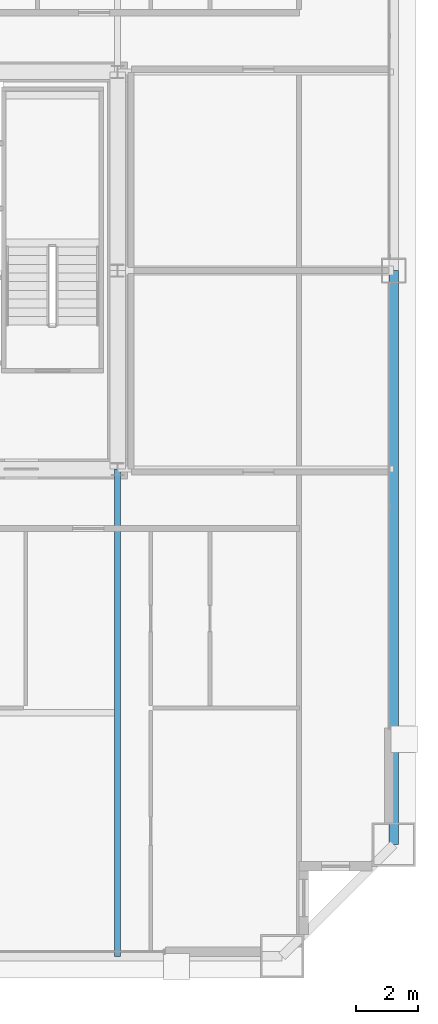
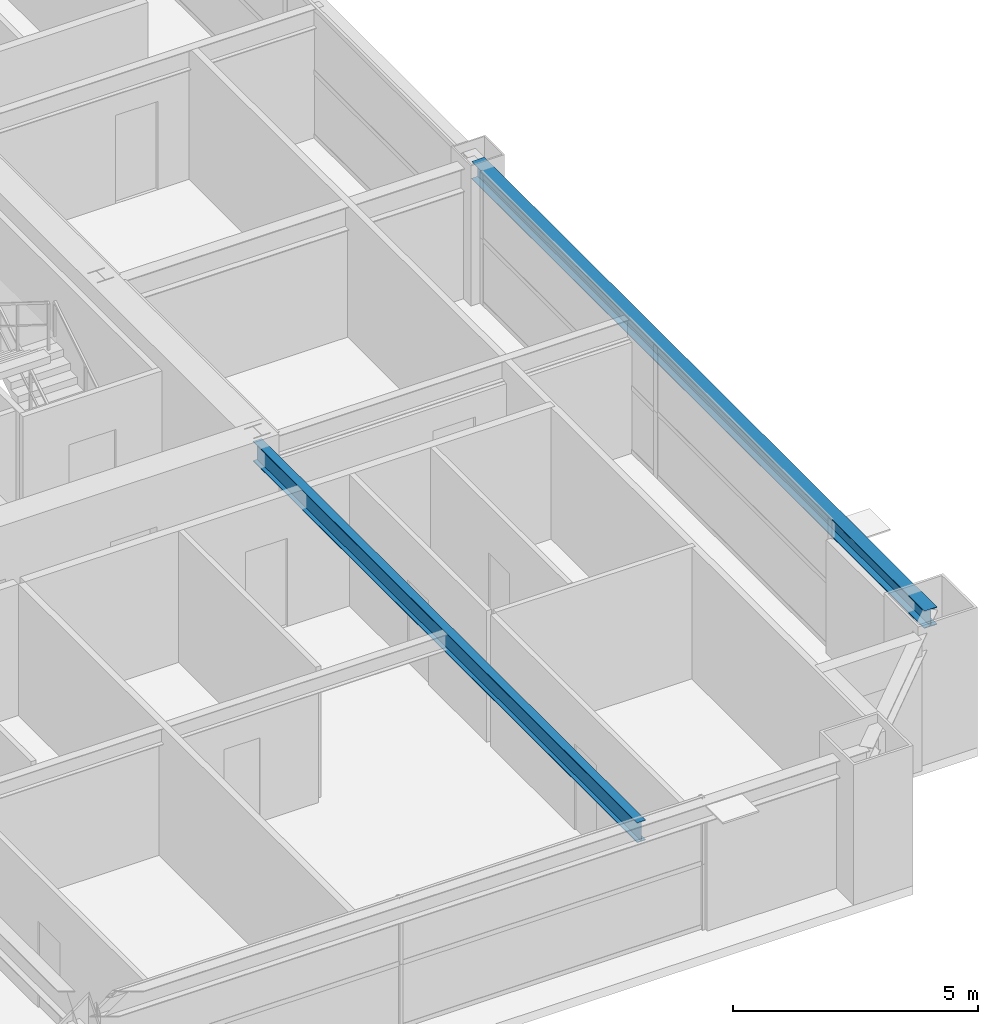
# One storey, part 17 of 38: 2 beams.
"""IFC4 building model written with IfcOpenShell, lengths in metres."""

from ifc_helpers import new_model, si_unit, direction, frame, origin, origin_2d, place, context, subcontext, project, spatial, i_section, extrude, source, transform, mapped, material, material_profile, profile_set, type_object, element, save


model = new_model("IFC4")

# Units and contexts
model_context = context("Model", 3, precision=1e-05, world=origin(), true_north=direction((0.0, 1.0)))
body_context = subcontext(model_context, "Body", "Model", "MODEL_VIEW")
ifc_project = project(units=[si_unit("LENGTHUNIT", "METRE"), si_unit("AREAUNIT", "SQUARE_METRE"), si_unit("VOLUMEUNIT", "CUBIC_METRE"), si_unit("PLANEANGLEUNIT", "RADIAN"), si_unit("MASSUNIT", "GRAM", prefix="KILO"), si_unit("THERMODYNAMICTEMPERATUREUNIT", "KELVIN"), si_unit("POWERUNIT", "WATT")], contexts=[model_context])

# Site, building, storey
site_placement = place(None, origin())
site = spatial("IfcSite", under=ifc_project, at=site_placement, CompositionType="ELEMENT")
building_placement = place(site_placement, origin())
building = spatial("IfcBuilding", under=site, at=building_placement, Name="Yuzanri Waterfront Tower", CompositionType="ELEMENT")
storey_placement = place(building_placement, frame((0.0, 0.0, 209.0)))
storey = spatial("IfcBuildingStorey", under=building, at=storey_placement, Name="L55", CompositionType="ELEMENT", Elevation=209.0)

# Beams
ifc_material_1 = material(Name="Steel Q355B", Category="steel")
ifc_material_profile_1 = material_profile(ifc_material_1, i_section(OverallWidth=0.300048828125, OverallDepth=0.43994140625, WebThickness=0.010986328125, FlangeThickness=0.01806640625, at=origin_2d()), Name="HM 440x300x11x18")
ifc_profile_set_1 = profile_set([ifc_material_profile_1], Name="Steel Q355B")
beam_type_1 = type_object("IfcBeamType", Name="Perimeter Spandrel Q355B HM 440x300", PredefinedType="SPANDREL", material=ifc_profile_set_1)
shared_shape_1 = source(origin(), body_context, "Body", "SweptSolid", [
    extrude(i_section(OverallWidth=0.300048828125, OverallDepth=0.43994140625, WebThickness=0.010986328125, FlangeThickness=0.01806640625, at=origin_2d()), origin(), (0.0, 0.0, 1.0), 18.5),
])
beam_1_placement = place(storey_placement, frame((59.10009765625, 7.300048828125, 3.06005859375), z_axis=(0.0, 1.0, 0.0), x_axis=(-1.0, 0.0, 0.0)))
element("IfcBeam", 1, at=beam_1_placement, inside=storey, type_object=beam_type_1, Name="L55 Perimeter Spandrel E1-E2", PredefinedType="SPANDREL", context=body_context, shape_type="MappedRepresentation", body=[
    mapped(shared_shape_1, transform((0.0, 0.0, 0.0), scale=1.0)),
])
ifc_material_2 = material(Name="Steel Q355B", Category="steel")
ifc_material_profile_2 = material_profile(ifc_material_2, i_section(OverallWidth=0.199951171875, OverallDepth=0.5, WebThickness=0.010009765625, FlangeThickness=0.01611328125, at=origin_2d()), Name="HN 500x200x10x16")
ifc_profile_set_2 = profile_set([ifc_material_profile_2], Name="Steel Q355B")
beam_type_2 = type_object("IfcBeamType", Name="Secondary Floor Beam Q355B HN 500x200", PredefinedType="BEAM", material=ifc_profile_set_2)
shared_shape_2 = source(origin(), body_context, "Body", "SweptSolid", [
    extrude(i_section(OverallWidth=0.199951171875, OverallDepth=0.5, WebThickness=0.010009765625, FlangeThickness=0.01611328125, at=origin_2d()), origin(), (0.0, 0.0, 1.0), 15.699951171875),
])
beam_2_placement = place(storey_placement, frame((50.199951171875, 19.39990234375, 3.030029296875), z_axis=(0.0, -1.0, 0.0), x_axis=(1.0, 0.0, 0.0)))
element("IfcBeam", 2, at=beam_2_placement, inside=storey, type_object=beam_type_2, Name="L55 South-East Core Line Beam", PredefinedType="BEAM", context=body_context, shape_type="MappedRepresentation", body=[
    mapped(shared_shape_2, transform((0.0, 0.0, 0.0), scale=1.0)),
])

save(model, "model.ifc")
